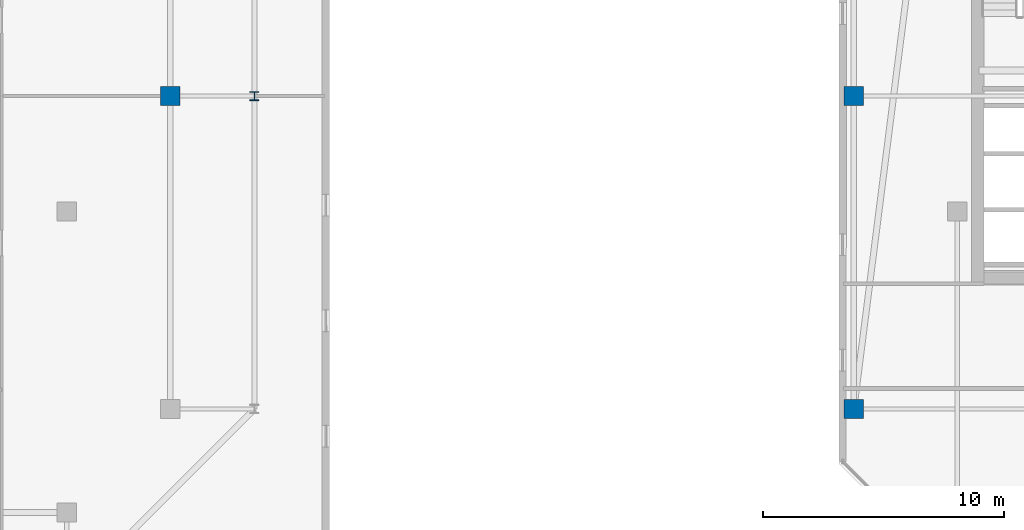
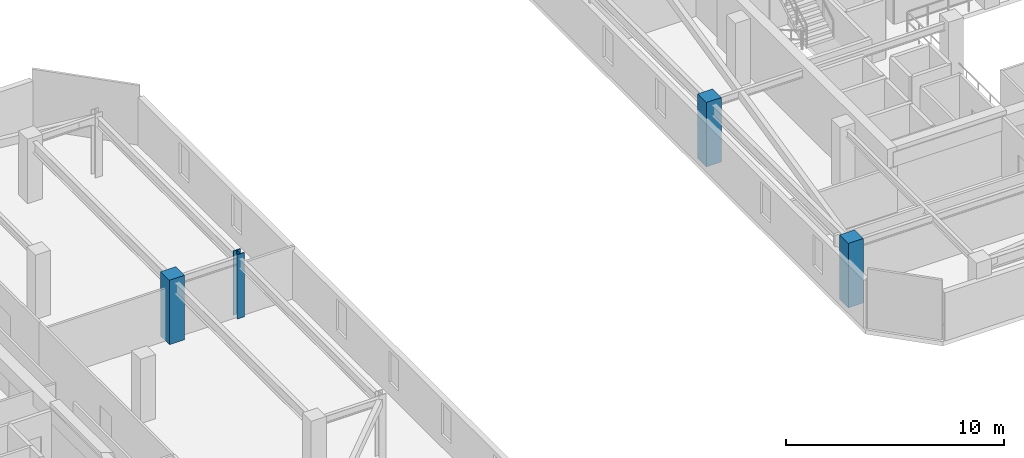
# One storey, part 2 of 34: 4 columns.
"""IFC4 building model written with IfcOpenShell, lengths in metres."""

from ifc_helpers import new_model, si_unit, direction, frame, origin, origin_2d, place, context, subcontext, project, spatial, rectangle, i_section, extrude, material, material_profile, profile_set, type_object, element, save


model = new_model("IFC4")

# Units and contexts
model_context = context("Model", 3, precision=1e-05, world=origin(), true_north=direction((0.0, 1.0)))
body_context = subcontext(model_context, "Body", "Model", "MODEL_VIEW")
ifc_project = project(units=[si_unit("LENGTHUNIT", "METRE"), si_unit("AREAUNIT", "SQUARE_METRE"), si_unit("VOLUMEUNIT", "CUBIC_METRE"), si_unit("PLANEANGLEUNIT", "RADIAN"), si_unit("MASSUNIT", "GRAM", prefix="KILO")], contexts=[model_context])

# Site, building, storey
site_placement = place(None, origin())
site = spatial("IfcSite", under=ifc_project, at=site_placement, CompositionType="ELEMENT")
building_placement = place(site_placement, origin())
building = spatial("IfcBuilding", under=site, at=building_placement, Name="Thornwick Lancets Civic Towers", CompositionType="ELEMENT")
storey_placement = place(building_placement, frame((0.0, 0.0, 261.89990234375)))
storey = spatial("IfcBuildingStorey", under=building, at=storey_placement, Name="L70", CompositionType="ELEMENT", Elevation=261.89990234375)

# Columns
ifc_material_1 = material(Name="Concrete C50/60", Category="concrete")
ifc_material_profile_1 = material_profile(ifc_material_1, rectangle(XDim=0.800048828125, YDim=0.800048828125, at=origin_2d()), Name="RC 800x800")
ifc_profile_set_1 = profile_set([ifc_material_profile_1], Name="Concrete C50/60")
column_type_1 = type_object("IfcColumnType", Name="COL_RC_800", PredefinedType="COLUMN", material=ifc_profile_set_1)
for number, where, z_axis, x_axis, name in (
    (1, (42.800048828125, 27.0, 0.0), (0.0, 0.0, 1.0), (1.0, 0.0, 0.0), "L70 Spine Mega-Column A05"),
    (2, (71.199951171875, 14.0, 0.0), (0.0, 0.0, 1.0), (1.0, 0.0, 0.0), "L70 Spine Mega-Column B07"),
    (3, (71.199951171875, 27.0, 0.0), (0.0, 0.0, 1.0), (1.0, 0.0, 0.0), "L70 Spine Mega-Column B08"),
):
    element("IfcColumn", number, at=place(storey_placement, frame(where, z_axis=z_axis, x_axis=x_axis)), inside=storey, type_object=column_type_1, Name=name, PredefinedType="COLUMN", context=body_context, shape_type="SweptSolid", body=[
        extrude(rectangle(XDim=0.800048828125, YDim=0.800048828125, at=origin_2d()), origin(), (0.0, 0.0, 1.0), 3.60009765625),
    ])
ifc_material_2 = material(Name="Steel S355JR", Category="steel")
ifc_material_profile_2 = material_profile(ifc_material_2, i_section(OverallWidth=0.374755859375, OverallDepth=0.37451171875, WebThickness=0.0166015625, FlangeThickness=0.027099609375, FilletRadius=0.01513671875, at=origin_2d()), Name="UKC 356x368x202")
ifc_profile_set_2 = profile_set([ifc_material_profile_2], Name="Steel S355JR")
column_type_2 = type_object("IfcColumnType", Name="COL_UKC_202", PredefinedType="COLUMN", material=ifc_profile_set_2)
column_placement = place(storey_placement, frame((46.300048828125, 27.0, 0.0), z_axis=(0.0, 0.0, 1.0), x_axis=(1.0, 0.0, 0.0)))
element("IfcColumn", 4, at=column_placement, inside=storey, type_object=column_type_2, Name="L70 Block Perimeter Column A05", PredefinedType="COLUMN", context=body_context, shape_type="SweptSolid", body=[
    extrude(i_section(OverallWidth=0.374755859375, OverallDepth=0.37451171875, WebThickness=0.0166015625, FlangeThickness=0.027099609375, FilletRadius=0.01513671875, at=origin_2d()), origin(), (0.0, 0.0, 1.0), 3.60009765625),
])

save(model, "model.ifc")
